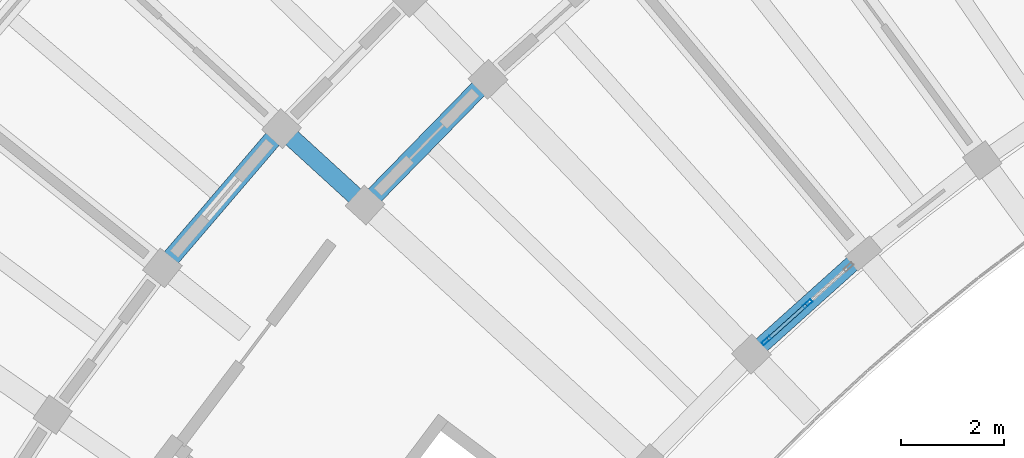
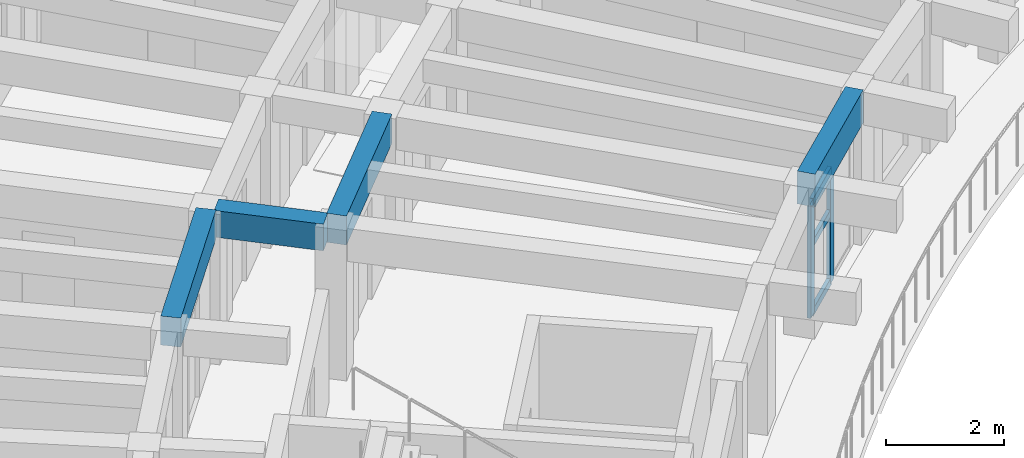
# One storey, part 11 of 81: 5 members, 4 beams, 1 element without a shape of its own.
"""IFC4 building model written with IfcOpenShell, lengths in metres."""

from ifc_helpers import new_model, si_unit, direction, frame, origin, origin_2d, place, context, subcontext, project, spatial, rectangle, hollow_rectangle, extrude, material, material_profile, profile_set, type_object, element, aggregate, save


model = new_model("IFC4")

# Units and contexts
model_context = context("Model", 3, precision=1e-05, world=origin(), true_north=direction((0.0, 1.0)))
body_context = subcontext(model_context, "Body", "Model", "MODEL_VIEW")
ifc_project = project(units=[si_unit("LENGTHUNIT", "METRE"), si_unit("AREAUNIT", "SQUARE_METRE"), si_unit("VOLUMEUNIT", "CUBIC_METRE"), si_unit("PLANEANGLEUNIT", "RADIAN"), si_unit("MASSUNIT", "GRAM", prefix="KILO")], contexts=[model_context])

# Site, building, storey
site_placement = place(None, origin())
site = spatial("IfcSite", under=ifc_project, at=site_placement, CompositionType="ELEMENT")
building_placement = place(site_placement, origin())
building = spatial("IfcBuilding", under=site, at=building_placement, Name="Tanwirah Colonnade Gardens", CompositionType="ELEMENT")
storey_placement = place(building_placement, frame((0.0, 0.0, 18.919921875)))
storey = spatial("IfcBuildingStorey", under=building, at=storey_placement, Name="L05", CompositionType="ELEMENT", Elevation=18.919921875)

# Beams
ifc_material_1 = material(Name="Precast concrete C40/50", Category="concrete")
ifc_material_profile_1 = material_profile(ifc_material_1, rectangle(XDim=0.35009765625, YDim=0.550048828125, at=origin_2d()), Name="PC-BM 350x550")
ifc_profile_set_1 = profile_set([ifc_material_profile_1], Name="Precast concrete C40/50")
beam_type_1 = type_object("IfcBeamType", Name="BM-PC350A", PredefinedType="BEAM", material=ifc_profile_set_1)
beam_1_placement = place(storey_placement, frame((26.62744140625, 95.29345703125, 2.8349609375), z_axis=(-0.737948361517, 0.674857181732, 0.0), x_axis=(-0.674857181732, -0.737948361517, 0.0)))
element("IfcBeam", 1, at=beam_1_placement, inside=storey, type_object=beam_type_1, Name="Block A L05 Corridor Tie Beam 11", PredefinedType="BEAM", context=body_context, shape_type="SweptSolid", body=[
    extrude(rectangle(XDim=0.35009765625, YDim=0.550048828125, at=origin_2d()), origin(), (0.0, 0.0, 1.0), 1.89990234375),
])
ifc_material_profile_2 = material_profile(ifc_material_1, rectangle(XDim=0.35009765625, YDim=0.60009765625, at=origin_2d()), Name="PC-BM 350x600")
ifc_profile_set_2 = profile_set([ifc_material_profile_2], Name="Precast concrete C40/50")
beam_type_2 = type_object("IfcBeamType", Name="BM-PC350B", PredefinedType="BEAM", material=ifc_profile_set_2)
beam_2_placement = place(storey_placement, frame((29.02197265625, 97.52978515625, 2.81005859375), z_axis=(-0.698837366631, -0.715280598787, 0.0), x_axis=(0.715280598787, -0.698837366631, 0.0)))
element("IfcBeam", 2, at=beam_2_placement, inside=storey, type_object=beam_type_2, Name="Block A L05 Circumferential Beam 10-R1", PredefinedType="BEAM", context=body_context, shape_type="SweptSolid", body=[
    extrude(rectangle(XDim=0.35009765625, YDim=0.60009765625, at=origin_2d()), origin(), (0.0, 0.0, 1.0), 3.117919921875),
])
beam_3_placement = place(storey_placement, frame((25.017333984375, 96.56298828125, 2.81005859375), z_axis=(-0.650218192342, -0.759747525398, 0.0), x_axis=(0.759747525398, -0.650218192342, 0.0)))
element("IfcBeam", 3, at=beam_3_placement, inside=storey, type_object=beam_type_2, Name="Block A L05 Circumferential Beam 11-R2", PredefinedType="BEAM", context=body_context, shape_type="SweptSolid", body=[
    extrude(rectangle(XDim=0.35009765625, YDim=0.60009765625, at=origin_2d()), origin(), (0.0, 0.0, 1.0), 3.26318359375),
])

# Curtain wall, members
ifc_material_2 = material(Name="Bronze-anodised aluminium and solar-control low-E glass", Category="aluminium")
curtain_wall_type = type_object("IfcCurtainWallType", Name="CW-GDN", PredefinedType="NOTDEFINED", material=ifc_material_2)
curtain_wall_placement = place(storey_placement, origin())
curtain_wall = element("IfcCurtainWall", 4, at=curtain_wall_placement, inside=storey, type_object=curtain_wall_type, Name="Curtain Wall CW-A-L05-IN-09", PredefinedType="NOTDEFINED")
ifc_material_3 = material(Name="Bronze-anodised aluminium", Category="aluminium")
ifc_material_profile_3 = material_profile(ifc_material_3, hollow_rectangle(XDim=0.070068359375, YDim=0.199951171875, WallThickness=0.00390625, at=origin_2d()), Name="CW-MUL 70x200x4")
ifc_profile_set_3 = profile_set([ifc_material_profile_3], Name="Bronze-anodised aluminium")
member_type_1 = type_object("IfcMemberType", Name="CWM-70x200", PredefinedType="MULLION", material=ifc_profile_set_3)
member_1_placement = place(storey_placement, frame((35.33740234375, 93.2724609375, 0.0), z_axis=(0.0, 0.0, 1.0), x_axis=(0.667689182798, -0.744440162253, 0.0)))
member_1 = element("IfcMember", 5, at=member_1_placement, type_object=member_type_1, Name="CW-GDN mullion 2", PredefinedType="MULLION", context=body_context, shape_type="SweptSolid", body=[
    extrude(hollow_rectangle(XDim=0.070068359375, YDim=0.199951171875, WallThickness=0.00390625, at=origin_2d()), origin(), (0.0, 0.0, 1.0), 2.35498046875),
])
member_2_placement = place(storey_placement, frame((34.540771484375, 92.557861328125, 0.0), z_axis=(0.0, 0.0, 1.0), x_axis=(0.667689182798, -0.744440162253, 0.0)))
member_2 = element("IfcMember", 6, at=member_2_placement, type_object=member_type_1, Name="CW-GDN mullion 3", PredefinedType="MULLION", context=body_context, shape_type="SweptSolid", body=[
    extrude(hollow_rectangle(XDim=0.070068359375, YDim=0.199951171875, WallThickness=0.00390625, at=origin_2d()), origin(), (0.0, 0.0, 1.0), 2.35498046875),
])
ifc_material_profile_4 = material_profile(ifc_material_3, hollow_rectangle(XDim=0.070068359375, YDim=0.14990234375, WallThickness=0.00390625, at=origin_2d()), Name="CW-TRN 70x150x4")
ifc_profile_set_4 = profile_set([ifc_material_profile_4], Name="Bronze-anodised aluminium")
member_type_2 = type_object("IfcMemberType", Name="CWT-70x150", PredefinedType="USERDEFINED", material=ifc_profile_set_4)
member_3_placement = place(storey_placement, frame((35.311279296875, 93.2490234375, 0.03515625), z_axis=(-0.744397854763, -0.667736350534, 0.0), x_axis=(0.667736350534, -0.744397854763, 0.0)))
member_3 = element("IfcMember", 7, at=member_3_placement, type_object=member_type_2, Name="CW-GDN transom 2.1", ObjectType="TRANSOM", PredefinedType="USERDEFINED", context=body_context, shape_type="SweptSolid", body=[
    extrude(hollow_rectangle(XDim=0.070068359375, YDim=0.14990234375, WallThickness=0.00390625, at=origin_2d()), origin(), (0.0, 0.0, 1.0), 1.0),
])
member_4_placement = place(storey_placement, frame((35.311279296875, 93.2490234375, 1.460205078125), z_axis=(-0.744397854763, -0.667736350534, 0.0), x_axis=(0.667736350534, -0.744397854763, 0.0)))
member_4 = element("IfcMember", 8, at=member_4_placement, type_object=member_type_2, Name="CW-GDN transom 2.2", ObjectType="TRANSOM", PredefinedType="USERDEFINED", context=body_context, shape_type="SweptSolid", body=[
    extrude(hollow_rectangle(XDim=0.070068359375, YDim=0.14990234375, WallThickness=0.00390625, at=origin_2d()), origin(), (0.0, 0.0, 1.0), 1.0),
])
member_5_placement = place(storey_placement, frame((35.311279296875, 93.2490234375, 2.320068359375), z_axis=(-0.744397854763, -0.667736350534, 0.0), x_axis=(0.667736350534, -0.744397854763, 0.0)))
member_5 = element("IfcMember", 9, at=member_5_placement, type_object=member_type_2, Name="CW-GDN transom 2.3", ObjectType="TRANSOM", PredefinedType="USERDEFINED", context=body_context, shape_type="SweptSolid", body=[
    extrude(hollow_rectangle(XDim=0.070068359375, YDim=0.14990234375, WallThickness=0.00390625, at=origin_2d()), origin(), (0.0, 0.0, 1.0), 1.0),
])
aggregate(curtain_wall, [member_1, member_2, member_3, member_4, member_5])

# Beam
ifc_material_4 = material(Name="Precast concrete C45/55", Category="concrete")
ifc_material_profile_5 = material_profile(ifc_material_4, rectangle(XDim=0.320068359375, YDim=0.679931640625, at=origin_2d()), Name="PC-SP 320x680")
ifc_profile_set_5 = profile_set([ifc_material_profile_5], Name="Precast concrete C45/55")
beam_type_3 = type_object("IfcBeamType", Name="SP-PC320", PredefinedType="SPANDREL", material=ifc_profile_set_5)
beam_4_placement = place(storey_placement, frame((36.31640625, 94.150634765625, 2.77001953125), z_axis=(-0.744400790288, -0.667733077972, 0.0), x_axis=(0.667733077972, -0.744400790288, 0.0)))
element("IfcBeam", 10, at=beam_4_placement, inside=storey, type_object=beam_type_3, Name="Block A L05 Circumferential Beam 9-R0", PredefinedType="SPANDREL", context=body_context, shape_type="SweptSolid", body=[
    extrude(rectangle(XDim=0.320068359375, YDim=0.679931640625, at=origin_2d()), origin(), (0.0, 0.0, 1.0), 2.63037109375),
])

save(model, "model.ifc")
